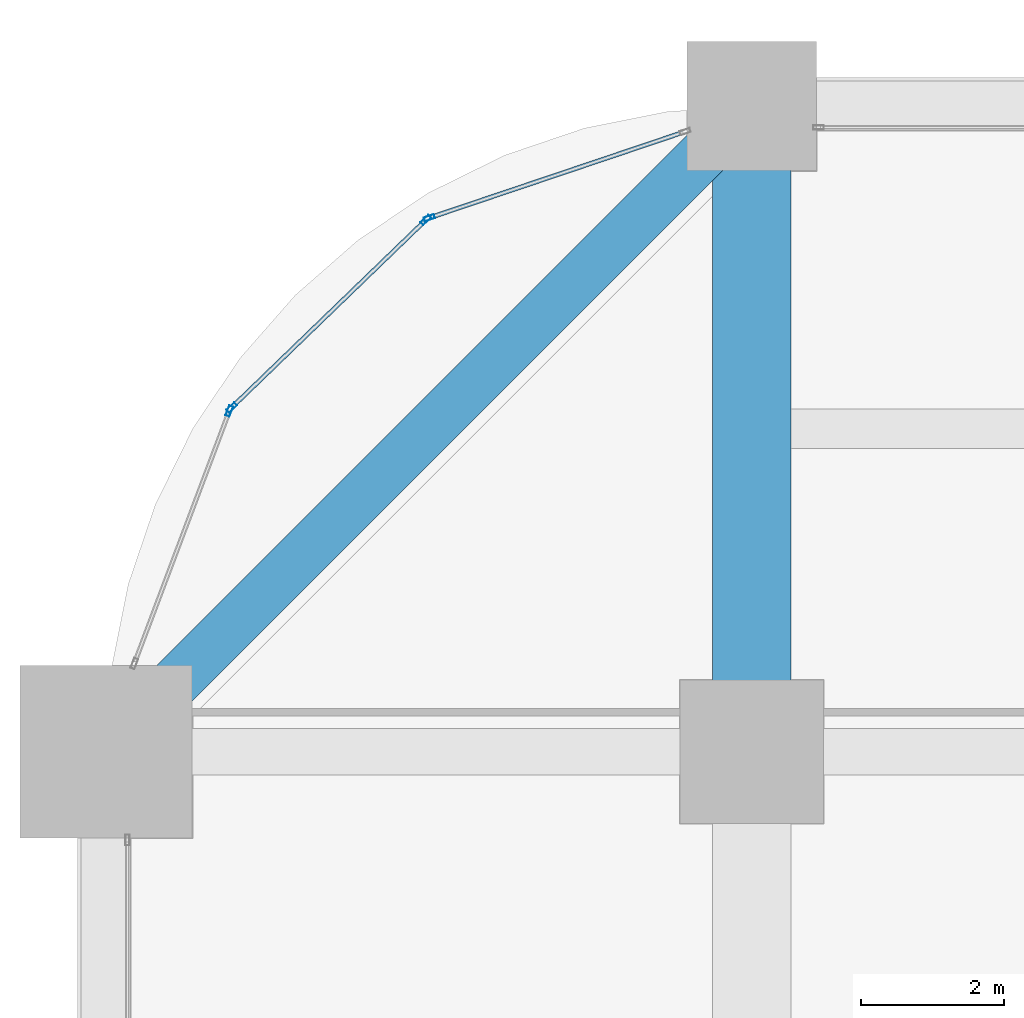
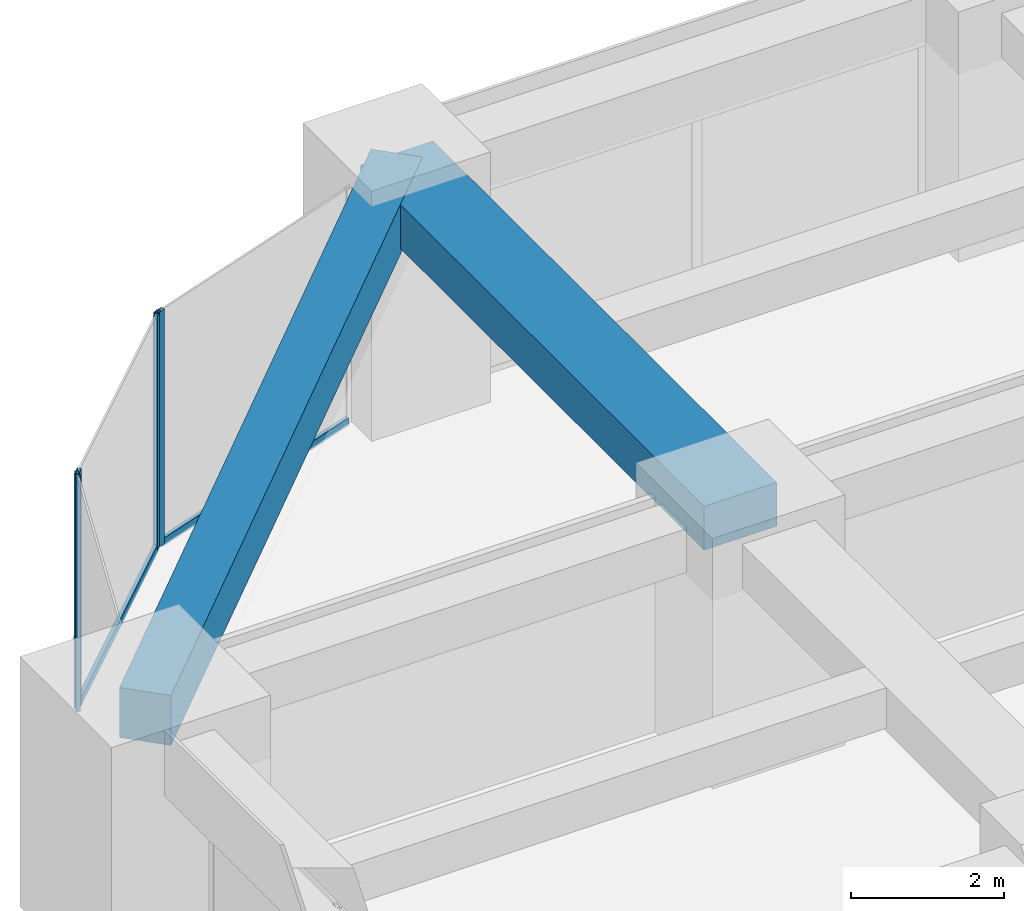
# One storey, part 26 of 39: 6 members, 2 beams, 3 elements without a shape of their own.
"""IFC4 building model written with IfcOpenShell, lengths in metres."""

from ifc_helpers import new_model, si_unit, direction, frame, origin, origin_2d, place, context, subcontext, project, spatial, rectangle, hollow_rectangle, extrude, material, material_profile, profile_set, type_object, element, aggregate, save


model = new_model("IFC4")

# Units and contexts
model_context = context("Model", 3, precision=1e-05, world=origin(), true_north=direction((0.0, 1.0)))
body_context = subcontext(model_context, "Body", "Model", "MODEL_VIEW")
ifc_project = project(units=[si_unit("LENGTHUNIT", "METRE"), si_unit("AREAUNIT", "SQUARE_METRE"), si_unit("VOLUMEUNIT", "CUBIC_METRE"), si_unit("PLANEANGLEUNIT", "RADIAN"), si_unit("MASSUNIT", "GRAM", prefix="KILO")], contexts=[model_context])

# Site, building, storey
site_placement = place(None, origin())
site = spatial("IfcSite", under=ifc_project, at=site_placement, CompositionType="ELEMENT")
building_placement = place(site_placement, origin())
building = spatial("IfcBuilding", under=site, at=building_placement, Name="Zorevar Civic Tower", CompositionType="ELEMENT")
storey_placement = place(building_placement, frame((0.0, 0.0, 117.0)))
storey = spatial("IfcBuildingStorey", under=building, at=storey_placement, Name="L28", CompositionType="ELEMENT", Elevation=117.0)

# Beam
ifc_material_1 = material(Name="Concrete C50/60", Category="concrete")
ifc_material_profile_1 = material_profile(ifc_material_1, rectangle(XDim=1.10009765625, YDim=0.699951171875, at=origin_2d()), Name="RC 1100x700")
ifc_profile_set_1 = profile_set([ifc_material_profile_1], Name="Concrete C50/60")
beam_type_1 = type_object("IfcBeamType", Name="Beam RC 1100x700", PredefinedType="BEAM", material=ifc_profile_set_1)
beam_1_placement = place(storey_placement, frame((9.0, 36.0, 3.39990234375), z_axis=(0.0, 1.0, 0.0), x_axis=(-1.0, 0.0, 0.0)))
element("IfcBeam", 1, at=beam_1_placement, inside=storey, type_object=beam_type_1, Name="Girder L29", PredefinedType="BEAM", context=body_context, shape_type="SweptSolid", body=[
    extrude(rectangle(XDim=1.10009765625, YDim=0.699951171875, at=origin_2d()), origin(), (0.0, 0.0, 1.0), 9.0),
])

# Curtain wall, member
ifc_material_2 = material(Name="Dark grey solar-control glass in black aluminium frame", Category="aluminium")
curtain_wall_type = type_object("IfcCurtainWallType", Name="Curtain wall CW3 mid zone", PredefinedType="NOTDEFINED", material=ifc_material_2)
curtain_wall_1_placement = place(storey_placement, origin())
curtain_wall_1 = element("IfcCurtainWall", 2, at=curtain_wall_1_placement, inside=storey, type_object=curtain_wall_type, Name="CW3 L28", PredefinedType="NOTDEFINED")
ifc_material_3 = material(Name="Aluminium, black anodised", Category="aluminium")
ifc_material_profile_2 = material_profile(ifc_material_3, hollow_rectangle(XDim=0.06005859375, YDim=0.14990234375, WallThickness=0.00390625, at=origin_2d()), Name="AL 150x60x4")
ifc_profile_set_2 = profile_set([ifc_material_profile_2], Name="Aluminium, black anodised")
member_type_1 = type_object("IfcMemberType", Name="CW3 mullion AL 150x60x4", PredefinedType="MULLION", material=ifc_profile_set_2)
member_1_placement = place(storey_placement, frame((4.506591796875, 43.442138671875, 0.0), z_axis=(0.0, 0.0, 1.0), x_axis=(0.319412525043, -0.947615765406, 0.0)))
member_1 = element("IfcMember", 3, at=member_1_placement, type_object=member_type_1, Name="CW3 mullion 2", PredefinedType="MULLION", context=body_context, shape_type="SweptSolid", body=[
    extrude(hollow_rectangle(XDim=0.06005859375, YDim=0.14990234375, WallThickness=0.00390625, at=origin_2d()), origin(), (0.0, 0.0, 1.0), 3.75),
])

# Curtain wall, members
curtain_wall_2_placement = place(storey_placement, origin())
curtain_wall_2 = element("IfcCurtainWall", 4, at=curtain_wall_2_placement, inside=storey, type_object=curtain_wall_type, Name="CW3 L28", PredefinedType="NOTDEFINED")
member_2_placement = place(storey_placement, frame((4.45654296875, 43.41162109375, 0.0), z_axis=(0.0, 0.0, 1.0), x_axis=(0.694719089155, -0.719281160023, 0.0)))
member_2 = element("IfcMember", 5, at=member_2_placement, type_object=member_type_1, Name="CW3 mullion 1", PredefinedType="MULLION", context=body_context, shape_type="SweptSolid", body=[
    extrude(hollow_rectangle(XDim=0.06005859375, YDim=0.14990234375, WallThickness=0.00390625, at=origin_2d()), origin(), (0.0, 0.0, 1.0), 3.75),
])
member_3_placement = place(storey_placement, frame((1.750732421875, 40.798095703125, 0.0), z_axis=(0.0, 0.0, 1.0), x_axis=(0.694719089155, -0.719281160023, 0.0)))
member_3 = element("IfcMember", 6, at=member_3_placement, type_object=member_type_1, Name="CW3 mullion 2", PredefinedType="MULLION", context=body_context, shape_type="SweptSolid", body=[
    extrude(hollow_rectangle(XDim=0.06005859375, YDim=0.14990234375, WallThickness=0.00390625, at=origin_2d()), origin(), (0.0, 0.0, 1.0), 3.75),
])

# Curtain wall, member
curtain_wall_3_placement = place(storey_placement, origin())
curtain_wall_3 = element("IfcCurtainWall", 7, at=curtain_wall_3_placement, inside=storey, type_object=curtain_wall_type, Name="CW3 L28", PredefinedType="NOTDEFINED")
member_4_placement = place(storey_placement, frame((1.718505859375, 40.749267578125, 0.0), z_axis=(0.0, 0.0, 1.0), x_axis=(0.935950528564, -0.352131520999, 0.0)))
member_4 = element("IfcMember", 8, at=member_4_placement, type_object=member_type_1, Name="CW3 mullion 1", PredefinedType="MULLION", context=body_context, shape_type="SweptSolid", body=[
    extrude(hollow_rectangle(XDim=0.06005859375, YDim=0.14990234375, WallThickness=0.00390625, at=origin_2d()), origin(), (0.0, 0.0, 1.0), 3.75),
])
aggregate(curtain_wall_3, [member_4])

# Member
ifc_material_4 = material(Name="Aluminium, black anodised", Category="aluminium")
ifc_material_profile_3 = material_profile(ifc_material_4, hollow_rectangle(XDim=0.06005859375, YDim=0.1201171875, WallThickness=0.0029296875, at=origin_2d()), Name="AL 120x60x3")
ifc_profile_set_3 = profile_set([ifc_material_profile_3], Name="Aluminium, black anodised")
member_type_2 = type_object("IfcMemberType", Name="CW3 transom AL 120x60x3", PredefinedType="USERDEFINED", material=ifc_profile_set_3)
member_5_placement = place(storey_placement, frame((8.043212890625, 44.634033203125, 0.030029296875), z_axis=(-0.9476295577, -0.319371603893, 0.0), x_axis=(0.319371603893, -0.9476295577, 0.0)))
member_5 = element("IfcMember", 9, at=member_5_placement, type_object=member_type_2, Name="CW3 sill transom", ObjectType="TRANSOM", PredefinedType="USERDEFINED", context=body_context, shape_type="SweptSolid", body=[
    extrude(hollow_rectangle(XDim=0.06005859375, YDim=0.1201171875, WallThickness=0.0029296875, at=origin_2d()), origin(), (0.0, 0.0, 1.0), 3.7021484375),
])

aggregate(curtain_wall_1, [member_1, member_5])

member_6_placement = place(storey_placement, frame((4.43505859375, 43.390869140625, 0.030029296875), z_axis=(-0.719266228526, -0.694734548228, 0.0), x_axis=(0.694734548228, -0.719266228526, 0.0)))
member_6 = element("IfcMember", 10, at=member_6_placement, type_object=member_type_2, Name="CW3 sill transom", ObjectType="TRANSOM", PredefinedType="USERDEFINED", context=body_context, shape_type="SweptSolid", body=[
    extrude(hollow_rectangle(XDim=0.06005859375, YDim=0.1201171875, WallThickness=0.0029296875, at=origin_2d()), origin(), (0.0, 0.0, 1.0), 3.7021484375),
])

aggregate(curtain_wall_2, [member_2, member_3, member_6])

# Beam
ifc_material_5 = material(Name="Concrete C50/60", Category="concrete")
ifc_material_profile_4 = material_profile(ifc_material_5, rectangle(XDim=0.699951171875, YDim=0.800048828125, at=origin_2d()), Name="RC 700x800")
ifc_profile_set_4 = profile_set([ifc_material_profile_4], Name="Concrete C50/60")
beam_type_2 = type_object("IfcBeamType", Name="Edge beam RC 700x800", PredefinedType="SPANDREL", material=ifc_profile_set_4)
beam_2_placement = place(storey_placement, frame((9.0, 45.0, 3.35009765625), z_axis=(-0.707106781187, -0.707106781187, 0.0), x_axis=(0.707106781187, -0.707106781187, 0.0)))
element("IfcBeam", 11, at=beam_2_placement, inside=storey, type_object=beam_type_2, Name="Corner edge beam L29", PredefinedType="SPANDREL", context=body_context, shape_type="SweptSolid", body=[
    extrude(rectangle(XDim=0.699951171875, YDim=0.800048828125, at=origin_2d()), origin(), (0.0, 0.0, 1.0), 12.72802734375),
])

save(model, "model.ifc")
